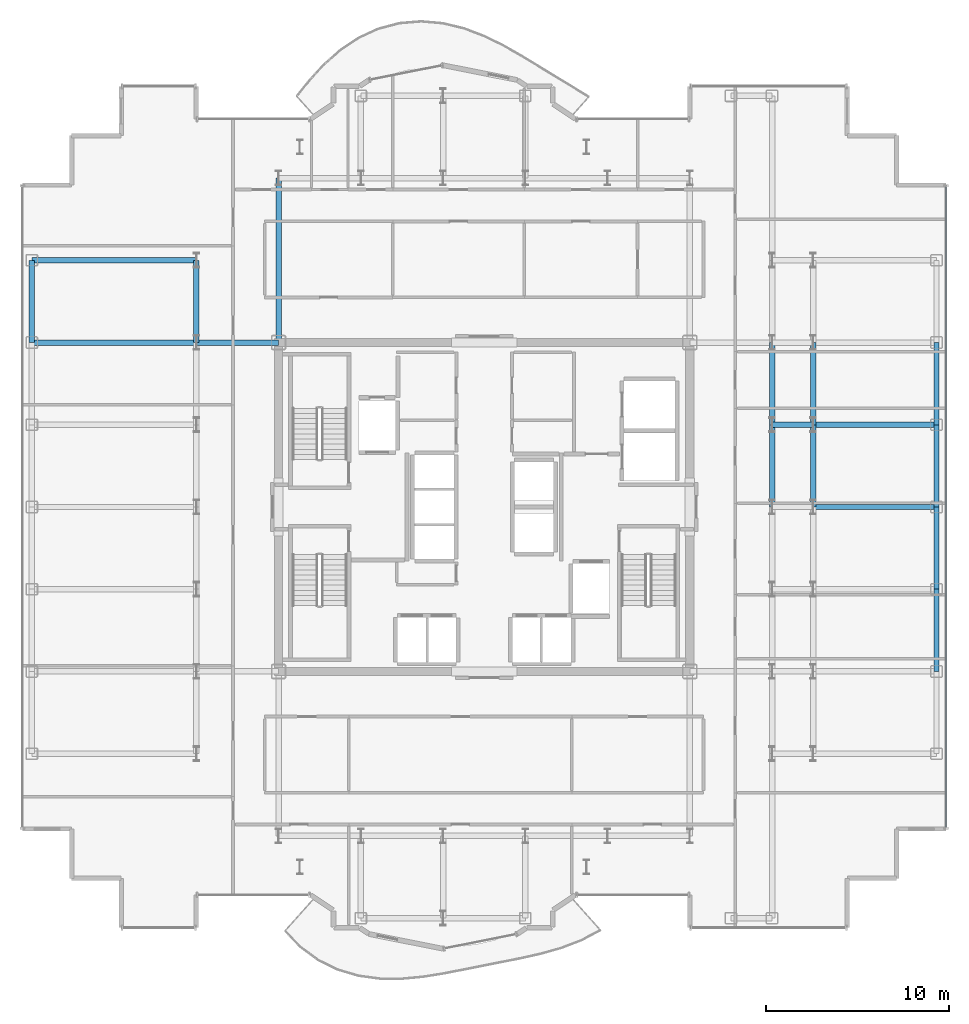
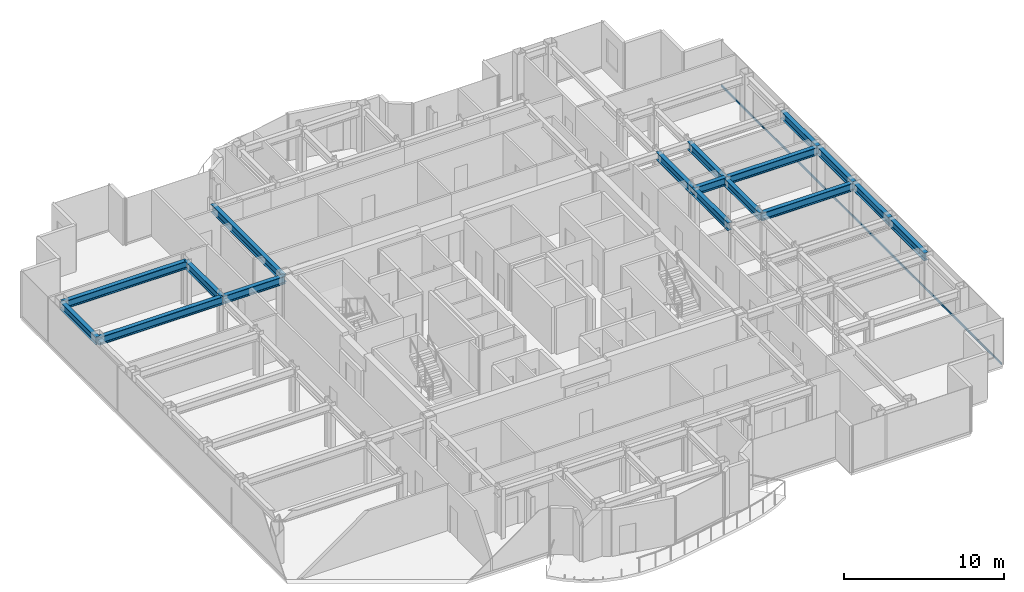
# One storey, part 7 of 21: 17 beams, 1 member, 1 element without a shape of its own.
"""IFC4 building model written with IfcOpenShell, lengths in metres."""

from ifc_helpers import new_model, si_unit, direction, frame, origin, origin_2d, place, context, subcontext, project, spatial, hollow_rectangle, i_section, extrude, source, transform, mapped, material, layer, layer_set, material_profile, profile_set, type_object, element, aggregate, save


model = new_model("IFC4")

# Units and contexts
model_context = context("Model", 3, precision=1e-05, world=origin(), true_north=direction((0.0, 1.0)))
body_context = subcontext(model_context, "Body", "Model", "MODEL_VIEW")
ifc_project = project(units=[si_unit("LENGTHUNIT", "METRE"), si_unit("AREAUNIT", "SQUARE_METRE"), si_unit("VOLUMEUNIT", "CUBIC_METRE"), si_unit("PLANEANGLEUNIT", "RADIAN"), si_unit("MASSUNIT", "GRAM", prefix="KILO")], contexts=[model_context])

# Site, building, storey
site_placement = place(None, origin())
site = spatial("IfcSite", under=ifc_project, at=site_placement, CompositionType="ELEMENT")
building_placement = place(site_placement, origin())
building = spatial("IfcBuilding", under=site, at=building_placement, Name="Nefas-Gora Pilgrimage Tower", CompositionType="ELEMENT")
storey_placement = place(building_placement, frame((0.0, 0.0, 248.39990234375)))
storey = spatial("IfcBuildingStorey", under=building, at=storey_placement, Name="L62", CompositionType="ELEMENT", Elevation=248.39990234375)

# Beams
ifc_material_1 = material(Name="Steel S355", Category="steel")
ifc_material_profile_1 = material_profile(ifc_material_1, i_section(OverallWidth=0.300048828125, OverallDepth=0.60009765625, WebThickness=0.015380859375, FlangeThickness=0.030029296875, FilletRadius=0.027099609375, at=origin_2d()), Name="HEB 600")
ifc_profile_set_1 = profile_set([ifc_material_profile_1], Name="Steel S355")
beam_type_1 = type_object("IfcBeamType", Name="BM-SPN-HEB450", PredefinedType="SPANDREL", material=ifc_profile_set_1)
shared_shape_1 = source(origin(), body_context, "Body", "SweptSolid", [
    extrude(i_section(OverallWidth=0.300048828125, OverallDepth=0.60009765625, WebThickness=0.015380859375, FlangeThickness=0.030029296875, FilletRadius=0.027099609375, at=origin_2d()), origin(), (0.0, 0.0, 1.0), 4.5),
])
for number, where, z_axis, x_axis, name in (
    (1, (-24.75, 9.0, 3.25), (0.0, 1.0, 0.0), (-1.0, 0.0, 0.0), "L62 SP-03 beam"),
    (2, (24.75, -9.0, 3.25), (0.0, 1.0, 0.0), (-1.0, 0.0, 0.0), "L62 SP-03 beam"),
    (3, (24.75, -4.5, 3.25), (0.0, 1.0, 0.0), (-1.0, 0.0, 0.0), "L62 SP-03 beam"),
    (4, (24.75, 0.0, 3.25), (0.0, 1.0, 0.0), (-1.0, 0.0, 0.0), "L62 SP-03 beam"),
    (5, (24.75, 4.5, 3.25), (0.0, 1.0, 0.0), (-1.0, 0.0, 0.0), "L62 SP-03 beam"),
):
    element("IfcBeam", number, at=place(storey_placement, frame(where, z_axis=z_axis, x_axis=x_axis)), inside=storey, type_object=beam_type_1, Name=name, PredefinedType="SPANDREL", context=body_context, shape_type="MappedRepresentation", body=[
        mapped(shared_shape_1, transform((0.0, 0.0, 0.0), x_axis=(1.0, 0.0, 0.0), y_axis=(0.0, 1.0, 0.0), z_axis=(0.0, 0.0, 1.0), scale=1.0)),
    ])
ifc_material_profile_2 = material_profile(ifc_material_1, i_section(OverallWidth=0.300048828125, OverallDepth=0.60009765625, WebThickness=0.015380859375, FlangeThickness=0.030029296875, FilletRadius=0.027099609375, at=origin_2d()), Name="HEB 600")
ifc_profile_set_2 = profile_set([ifc_material_profile_2], Name="Steel S355")
beam_type_2 = type_object("IfcBeamType", Name="BM-GIR-HEB600", PredefinedType="BEAM", material=ifc_profile_set_2)
shared_shape_2 = source(origin(), body_context, "Body", "SweptSolid", [
    extrude(i_section(OverallWidth=0.300048828125, OverallDepth=0.60009765625, WebThickness=0.015380859375, FlangeThickness=0.030029296875, FilletRadius=0.027099609375, at=origin_2d()), origin(), (0.0, 0.0, 1.0), 9.0),
])
for number, where, z_axis, x_axis, name in (
    (6, (-24.75, 9.0, 3.25), (1.0, 0.0, 0.0), (0.0, 1.0, 0.0), "L62 G-04 beam"),
    (7, (-24.75, 13.5, 3.25), (1.0, 0.0, 0.0), (0.0, 1.0, 0.0), "L62 G-04 beam"),
    (8, (-11.25, 9.0, 3.25), (0.0, 1.0, 0.0), (-1.0, 0.0, 0.0), "L62 G-04 beam"),
):
    element("IfcBeam", number, at=place(storey_placement, frame(where, z_axis=z_axis, x_axis=x_axis)), inside=storey, type_object=beam_type_2, Name=name, PredefinedType="BEAM", context=body_context, shape_type="MappedRepresentation", body=[
        mapped(shared_shape_2, transform((0.0, 0.0, 0.0), x_axis=(1.0, 0.0, 0.0), y_axis=(0.0, 1.0, 0.0), z_axis=(0.0, 0.0, 1.0), scale=1.0)),
    ])
shared_shape_3 = source(origin(), body_context, "Body", "SweptSolid", [
    extrude(i_section(OverallWidth=0.300048828125, OverallDepth=0.60009765625, WebThickness=0.015380859375, FlangeThickness=0.030029296875, FilletRadius=0.027099609375, at=origin_2d()), origin(), (0.0, 0.0, 1.0), 4.5),
])
for number, where, z_axis, x_axis, name in (
    (9, (-15.75, 9.0, 3.25), (0.0, 1.0, 0.0), (-1.0, 0.0, 0.0), "L62 G-04 beam"),
    (10, (-15.75, 9.0, 3.25), (1.0, 0.0, 0.0), (0.0, 1.0, 0.0), "L62 G-04 beam"),
    (11, (15.75, 0.0, 3.25), (0.0, 1.0, 0.0), (-1.0, 0.0, 0.0), "L62 G-04 beam"),
    (12, (15.75, 4.5, 3.25), (0.0, 1.0, 0.0), (-1.0, 0.0, 0.0), "L62 G-04 beam"),
    (13, (18.0, 0.0, 3.25), (0.0, 1.0, 0.0), (-1.0, 0.0, 0.0), "L62 G-04 beam"),
    (14, (18.0, 4.5, 3.25), (0.0, 1.0, 0.0), (-1.0, 0.0, 0.0), "L62 G-04 beam"),
):
    element("IfcBeam", number, at=place(storey_placement, frame(where, z_axis=z_axis, x_axis=x_axis)), inside=storey, type_object=beam_type_2, Name=name, PredefinedType="BEAM", context=body_context, shape_type="MappedRepresentation", body=[
        mapped(shared_shape_3, transform((0.0, 0.0, 0.0), x_axis=(1.0, 0.0, 0.0), y_axis=(0.0, 1.0, 0.0), z_axis=(0.0, 0.0, 1.0), scale=1.0)),
    ])
shared_shape_4 = source(origin(), body_context, "Body", "SweptSolid", [
    extrude(i_section(OverallWidth=0.300048828125, OverallDepth=0.60009765625, WebThickness=0.015380859375, FlangeThickness=0.030029296875, FilletRadius=0.027099609375, at=origin_2d()), origin(), (0.0, 0.0, 1.0), 6.75),
])
for number, where, z_axis, x_axis, name in (
    (15, (18.0, 0.0, 3.25), (1.0, 0.0, 0.0), (0.0, 1.0, 0.0), "L62 G-04 beam"),
    (16, (18.0, 4.5, 3.25), (1.0, 0.0, 0.0), (0.0, 1.0, 0.0), "L62 G-04 beam"),
):
    element("IfcBeam", number, at=place(storey_placement, frame(where, z_axis=z_axis, x_axis=x_axis)), inside=storey, type_object=beam_type_2, Name=name, PredefinedType="BEAM", context=body_context, shape_type="MappedRepresentation", body=[
        mapped(shared_shape_4, transform((0.0, 0.0, 0.0), x_axis=(1.0, 0.0, 0.0), y_axis=(0.0, 1.0, 0.0), z_axis=(0.0, 0.0, 1.0), scale=1.0)),
    ])
shared_shape_5 = source(origin(), body_context, "Body", "SweptSolid", [
    extrude(i_section(OverallWidth=0.300048828125, OverallDepth=0.60009765625, WebThickness=0.015380859375, FlangeThickness=0.030029296875, FilletRadius=0.027099609375, at=origin_2d()), origin(), (0.0, 0.0, 1.0), 2.25),
])
beam_placement = place(storey_placement, frame((15.75, 4.5, 3.25), z_axis=(1.0, 0.0, 0.0), x_axis=(0.0, 1.0, 0.0)))
element("IfcBeam", 17, at=beam_placement, inside=storey, type_object=beam_type_2, Name="L62 G-04 beam", PredefinedType="BEAM", context=body_context, shape_type="MappedRepresentation", body=[
    mapped(shared_shape_5, transform((0.0, 0.0, 0.0), x_axis=(1.0, 0.0, 0.0), y_axis=(0.0, 1.0, 0.0), z_axis=(0.0, 0.0, 1.0), scale=1.0)),
])

# Curtain wall, member
ifc_material_2 = material(Name="Dark ceramic-fritted solar-control aluminium-glass curtain wall", Category="aluminium")
ifc_layer = layer(ifc_material_2, 0.219970703125)
ifc_layer_set = layer_set([ifc_layer], Name="Dark ceramic-fritted solar-control aluminium-glass curtain wall")
curtain_wall_type = type_object("IfcCurtainWallType", Name="CW-SYS-3", PredefinedType="NOTDEFINED", material=ifc_layer_set)
curtain_wall_placement = place(storey_placement, origin())
curtain_wall = element("IfcCurtainWall", 18, at=curtain_wall_placement, inside=storey, type_object=curtain_wall_type, Name="L62 Unitised Curtain Wall CW3", PredefinedType="NOTDEFINED")
ifc_material_3 = material(Name="Anodised architectural aluminium", Category="aluminium")
ifc_material_profile_3 = material_profile(ifc_material_3, hollow_rectangle(XDim=0.080078125, YDim=0.159912109375, WallThickness=0.00439453125, InnerFilletRadius=0.00439453125, OuterFilletRadius=0.009033203125, at=origin_2d()), Name="ALU TRANSOM 80x160")
ifc_profile_set_3 = profile_set([ifc_material_profile_3], Name="Anodised architectural aluminium")
member_type = type_object("IfcMemberType", Name="CWM-TRN-3", PredefinedType="USERDEFINED", material=ifc_profile_set_3)
shared_shape_6 = source(origin(), body_context, "Body", "SweptSolid", [
    extrude(hollow_rectangle(XDim=0.080078125, YDim=0.159912109375, WallThickness=0.00439453125, InnerFilletRadius=0.00439453125, OuterFilletRadius=0.009033203125, at=origin_2d()), origin(), (0.0, 0.0, 1.0), 35.06005859375),
])
member_placement = place(storey_placement, frame((25.27001953125, -17.530029296875, 0.050048828125), z_axis=(0.0, 1.0, 0.0), x_axis=(-1.0, 0.0, 0.0)))
member = element("IfcMember", 19, at=member_placement, type_object=member_type, Name="CW3 Spandrel Transom", ObjectType="TRANSOM", PredefinedType="USERDEFINED", context=body_context, shape_type="MappedRepresentation", body=[
    mapped(shared_shape_6, transform((0.0, 0.0, 0.0), x_axis=(1.0, 0.0, 0.0), y_axis=(0.0, 1.0, 0.0), z_axis=(0.0, 0.0, 1.0), scale=1.0)),
])
aggregate(curtain_wall, [member])

save(model, "model.ifc")
